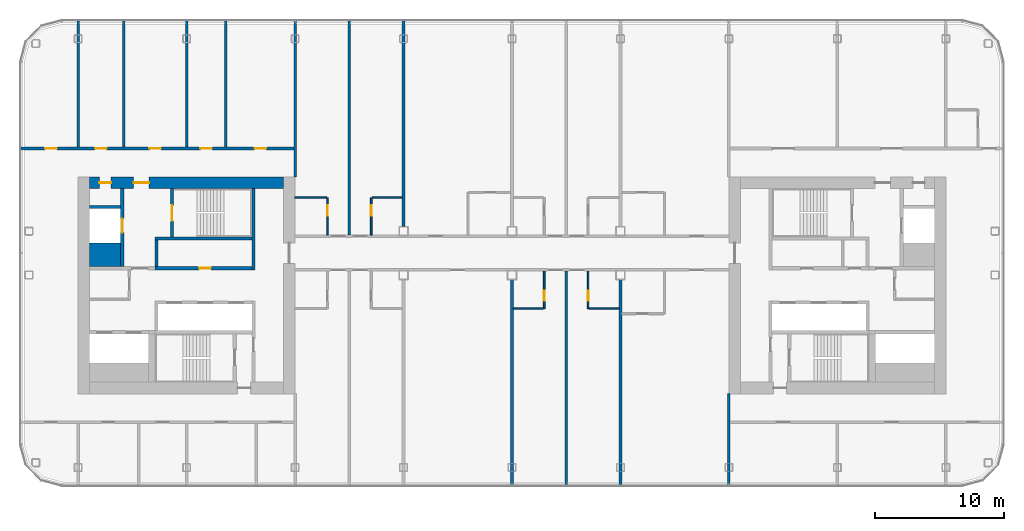
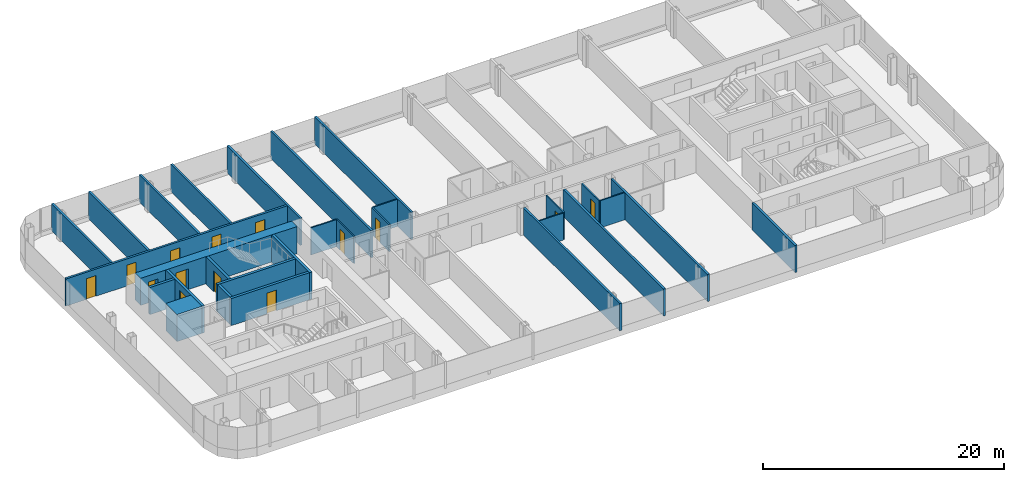
# One storey, part 14 of 26: 29 walls, 14 doors, 14 openings.
"""IFC4 building model written with IfcOpenShell, lengths in metres."""

from ifc_helpers import new_model, si_unit, direction, frame, frame_2d, origin, place, context, subcontext, project, spatial, rectangle, extrude, material, layer, layer_set, type_object, element, fill, save


model = new_model("IFC4")

# Units and contexts
model_context = context("Model", 3, precision=1e-05, world=origin(), true_north=direction((0.0, 1.0)))
body_context = subcontext(model_context, "Body", "Model", "MODEL_VIEW")
ifc_project = project(units=[si_unit("LENGTHUNIT", "METRE"), si_unit("AREAUNIT", "SQUARE_METRE"), si_unit("VOLUMEUNIT", "CUBIC_METRE"), si_unit("PLANEANGLEUNIT", "RADIAN"), si_unit("MASSUNIT", "GRAM", prefix="KILO")], contexts=[model_context])

# Site, building, storey
site_placement = place(None, origin())
site = spatial("IfcSite", under=ifc_project, at=site_placement, CompositionType="ELEMENT")
building_placement = place(site_placement, origin())
building = spatial("IfcBuilding", under=site, at=building_placement, Name="Hakoniwa Tower and Hamabe Station Hall", CompositionType="ELEMENT")
storey_placement = place(building_placement, frame((0.0, 0.0, 196.199951171875)))
storey = spatial("IfcBuildingStorey", under=building, at=storey_placement, Name="L55", CompositionType="ELEMENT", Elevation=196.199951171875)

# Walls
ifc_material_1 = material(Name="Gypsum board partition", Category="gypsum")
ifc_layer_1 = layer(ifc_material_1, 0.125)
ifc_layer_set_1 = layer_set([ifc_layer_1], Name="Bathroom Partition 125")
wall_type_1 = type_object("IfcWallType", Name="Bathroom Partition 125", PredefinedType="PARTITIONING", material=ifc_layer_set_1)
wall_1_placement = place(storey_placement, frame((0.10009765625, -1.800048828125, 0.0), z_axis=(0.0, 0.0, 1.0), x_axis=(1.0, 0.0, 0.0)))
element("IfcWall", 1, at=wall_1_placement, inside=storey, type_object=wall_type_1, Name="GW-L55-006", PredefinedType="PARTITIONING", context=body_context, shape_type="SweptSolid", body=[
    extrude(rectangle(XDim=2.33740234375, YDim=0.125, at=frame_2d((1.168701171875, 0.0))), origin(), (0.0, 0.0, 1.0), 2.75),
])
wall_2_placement = place(storey_placement, frame((5.96240234375, -1.800048828125, 0.0), z_axis=(0.0, 0.0, 1.0), x_axis=(1.0, 0.0, 0.0)))
element("IfcWall", 2, at=wall_2_placement, inside=storey, type_object=wall_type_1, Name="GW-L55-007", PredefinedType="PARTITIONING", context=body_context, shape_type="SweptSolid", body=[
    extrude(rectangle(XDim=2.337646484375, YDim=0.125, at=frame_2d((1.1689453125, 0.0))), origin(), (0.0, 0.0, 1.0), 2.75),
])
wall_3_placement = place(storey_placement, frame((-16.81005859375, 6.800048828125, 0.0), z_axis=(0.0, 0.0, 1.0), x_axis=(1.0, 0.0, 0.0)))
element("IfcWall", 3, at=wall_3_placement, inside=storey, type_object=wall_type_1, Name="GW-L55-010", PredefinedType="PARTITIONING", context=body_context, shape_type="SweptSolid", body=[
    extrude(rectangle(XDim=2.447509765625, YDim=0.125, at=frame_2d((1.2236328125, 0.0))), origin(), (0.0, 0.0, 1.0), 2.75),
])
wall_4_placement = place(storey_placement, frame((-10.83740234375, 6.800048828125, 0.0), z_axis=(0.0, 0.0, 1.0), x_axis=(1.0, 0.0, 0.0)))
element("IfcWall", 4, at=wall_4_placement, inside=storey, type_object=wall_type_1, Name="GW-L55-011", PredefinedType="PARTITIONING", context=body_context, shape_type="SweptSolid", body=[
    extrude(rectangle(XDim=2.33740234375, YDim=0.125, at=frame_2d((1.168701171875, 0.0))), origin(), (0.0, 0.0, 1.0), 2.75),
])

# Wall, opening, door
wall_5_placement = place(storey_placement, frame((-14.300048828125, 3.89990234375, 0.0), z_axis=(0.0, 0.0, 1.0), x_axis=(0.0, 1.0, 0.0)))
wall_5 = element("IfcWall", 5, at=wall_5_placement, inside=storey, type_object=wall_type_1, Name="GW-L55-030", PredefinedType="PARTITIONING", context=body_context, shape_type="SweptSolid", body=[
    extrude(rectangle(XDim=2.900146484375, YDim=0.125, at=frame_2d((1.4501953125, 0.0))), origin(), (0.0, 0.0, 1.0), 2.75),
])
opening_1_placement = place(wall_5_placement, frame((1.5, 0.0, 0.0)))
opening_1 = element("IfcOpeningElement", 6, at=opening_1_placement, cuts=wall_5, Name="Opening GD-G4D0-33", PredefinedType="OPENING", context=body_context, shape_type="SweptSolid", body=[
    extrude(rectangle(XDim=0.800048828125, YDim=2.10009765625, at=frame_2d((0.39990234375, 1.050048828125))), frame((0.0, 0.072509765625, 0.0), z_axis=(0.0, -1.0, 0.0), x_axis=(1.0, 0.0, 0.0)), (0.0, 0.0, 1.0), 0.14501953125),
])
ifc_material_2 = material(Name="Timber door leaf", Category="wood")
door_type_1 = type_object("IfcDoorType", Name="Bathroom Door 800", OperationType="SINGLE_SWING_LEFT", PredefinedType="DOOR", material=ifc_material_2)
door_1_placement = place(opening_1_placement, origin())
door_1 = element("IfcDoor", 7, at=door_1_placement, inside=storey, type_object=door_type_1, Name="Door GD-G4D0-33", OperationType="SINGLE_SWING_LEFT", OverallHeight=2.10009765625, OverallWidth=0.800048828125, PredefinedType="DOOR", context=body_context, shape_type="SweptSolid", body=[
    extrude(rectangle(XDim=0.800048828125, YDim=2.10009765625, at=frame_2d((0.39990234375, 1.050048828125))), frame((0.0, 0.02490234375, 0.0), z_axis=(0.0, -1.0, 0.0), x_axis=(1.0, 0.0, 0.0)), (0.0, 0.0, 1.0), 0.050048828125),
])
fill(opening_1, door_1)

wall_6_placement = place(storey_placement, frame((-10.89990234375, 3.89990234375, 0.0), z_axis=(0.0, 0.0, 1.0), x_axis=(0.0, 1.0, 0.0)))
wall_6 = element("IfcWall", 8, at=wall_6_placement, inside=storey, type_object=wall_type_1, Name="GW-L55-034", PredefinedType="PARTITIONING", context=body_context, shape_type="SweptSolid", body=[
    extrude(rectangle(XDim=2.900146484375, YDim=0.125, at=frame_2d((1.4501953125, 0.0))), origin(), (0.0, 0.0, 1.0), 2.75),
])
opening_2_placement = place(wall_6_placement, frame((1.5, 0.0, 0.0)))
opening_2 = element("IfcOpeningElement", 9, at=opening_2_placement, cuts=wall_6, Name="Opening GD-G4D0-35", PredefinedType="OPENING", context=body_context, shape_type="SweptSolid", body=[
    extrude(rectangle(XDim=0.800048828125, YDim=2.10009765625, at=frame_2d((0.39990234375, 1.050048828125))), frame((0.0, 0.072509765625, 0.0), z_axis=(0.0, -1.0, 0.0), x_axis=(1.0, 0.0, 0.0)), (0.0, 0.0, 1.0), 0.14501953125),
])
door_2_placement = place(opening_2_placement, origin())
door_2 = element("IfcDoor", 10, at=door_2_placement, inside=storey, type_object=door_type_1, Name="Door GD-G4D0-35", OperationType="SINGLE_SWING_RIGHT", OverallHeight=2.10009765625, OverallWidth=0.800048828125, PredefinedType="DOOR", context=body_context, shape_type="SweptSolid", body=[
    extrude(rectangle(XDim=0.800048828125, YDim=2.10009765625, at=frame_2d((0.39990234375, 1.050048828125))), frame((0.0, 0.02490234375, 0.0), z_axis=(0.0, -1.0, 0.0), x_axis=(1.0, 0.0, 0.0)), (0.0, 0.0, 1.0), 0.050048828125),
])
fill(opening_2, door_2)

wall_7_placement = place(storey_placement, frame((2.5, -1.800048828125, 0.0), z_axis=(0.0, 0.0, 1.0), x_axis=(0.0, 1.0, 0.0)))
wall_7 = element("IfcWall", 11, at=wall_7_placement, inside=storey, type_object=wall_type_1, Name="GW-L55-040", PredefinedType="PARTITIONING", context=body_context, shape_type="SweptSolid", body=[
    extrude(rectangle(XDim=2.900146484375, YDim=0.125, at=frame_2d((1.4501953125, 0.0))), origin(), (0.0, 0.0, 1.0), 2.75),
])
opening_3_placement = place(wall_7_placement, frame((0.60009765625, 0.0, 0.0)))
opening_3 = element("IfcOpeningElement", 12, at=opening_3_placement, cuts=wall_7, Name="Opening GD-G4D0-36", PredefinedType="OPENING", context=body_context, shape_type="SweptSolid", body=[
    extrude(rectangle(XDim=0.800048828125, YDim=2.10009765625, at=frame_2d((0.39990234375, 1.050048828125))), frame((0.0, 0.072509765625, 0.0), z_axis=(0.0, -1.0, 0.0), x_axis=(1.0, 0.0, 0.0)), (0.0, 0.0, 1.0), 0.14501953125),
])
door_3_placement = place(opening_3_placement, origin())
door_3 = element("IfcDoor", 13, at=door_3_placement, inside=storey, type_object=door_type_1, Name="Door GD-G4D0-36", OperationType="SINGLE_SWING_RIGHT", OverallHeight=2.10009765625, OverallWidth=0.800048828125, PredefinedType="DOOR", context=body_context, shape_type="SweptSolid", body=[
    extrude(rectangle(XDim=0.800048828125, YDim=2.10009765625, at=frame_2d((0.39990234375, 1.050048828125))), frame((0.0, 0.02490234375, 0.0), z_axis=(0.0, -1.0, 0.0), x_axis=(1.0, 0.0, 0.0)), (0.0, 0.0, 1.0), 0.050048828125),
])
fill(opening_3, door_3)

wall_8_placement = place(storey_placement, frame((5.89990234375, -1.800048828125, 0.0), z_axis=(0.0, 0.0, 1.0), x_axis=(0.0, 1.0, 0.0)))
wall_8 = element("IfcWall", 14, at=wall_8_placement, inside=storey, type_object=wall_type_1, Name="GW-L55-044", PredefinedType="PARTITIONING", context=body_context, shape_type="SweptSolid", body=[
    extrude(rectangle(XDim=2.900146484375, YDim=0.125, at=frame_2d((1.4501953125, 0.0))), origin(), (0.0, 0.0, 1.0), 2.75),
])
opening_4_placement = place(wall_8_placement, frame((0.60009765625, 0.0, 0.0)))
opening_4 = element("IfcOpeningElement", 15, at=opening_4_placement, cuts=wall_8, Name="Opening GD-G4D0-38", PredefinedType="OPENING", context=body_context, shape_type="SweptSolid", body=[
    extrude(rectangle(XDim=0.800048828125, YDim=2.10009765625, at=frame_2d((0.39990234375, 1.050048828125))), frame((0.0, 0.072509765625, 0.0), z_axis=(0.0, -1.0, 0.0), x_axis=(1.0, 0.0, 0.0)), (0.0, 0.0, 1.0), 0.14501953125),
])
door_4_placement = place(opening_4_placement, origin())
door_4 = element("IfcDoor", 16, at=door_4_placement, inside=storey, type_object=door_type_1, Name="Door GD-G4D0-38", OperationType="SINGLE_SWING_LEFT", OverallHeight=2.10009765625, OverallWidth=0.800048828125, PredefinedType="DOOR", context=body_context, shape_type="SweptSolid", body=[
    extrude(rectangle(XDim=0.800048828125, YDim=2.10009765625, at=frame_2d((0.39990234375, 1.050048828125))), frame((0.0, 0.02490234375, 0.0), z_axis=(0.0, -1.0, 0.0), x_axis=(1.0, 0.0, 0.0)), (0.0, 0.0, 1.0), 0.050048828125),
])
fill(opening_4, door_4)

# Wall, openings, doors
ifc_material_3 = material(Name="Concrete C60", Category="concrete")
ifc_layer_2 = layer(ifc_material_3, 0.89990234375)
ifc_layer_set_2 = layer_set([ifc_layer_2], Name="CORE WALL 900 C60")
wall_type_2 = type_object("IfcWallType", Name="CORE WALL 900 C60", PredefinedType="SHEAR", material=ifc_layer_set_2)
wall_9_placement = place(storey_placement, frame((-32.699951171875, 7.949951171875, 0.0), z_axis=(0.0, 0.0, 1.0), x_axis=(1.0, 0.0, 0.0)))
wall_9 = element("IfcWall", 17, at=wall_9_placement, inside=storey, type_object=wall_type_2, Name="Core wall NORTH west", PredefinedType="SHEAR", context=body_context, shape_type="SweptSolid", body=[
    extrude(rectangle(XDim=15.0, YDim=0.89990234375, at=frame_2d((7.5, 0.0))), origin(), (0.0, 0.0, 1.0), 2.75),
])
opening_5_placement = place(wall_9_placement, frame((3.39990234375, 0.0, 0.0)))
opening_5 = element("IfcOpeningElement", 18, at=opening_5_placement, cuts=wall_9, Name="Opening CD-W-FN1-12", PredefinedType="OPENING", context=body_context, shape_type="SweptSolid", body=[
    extrude(rectangle(XDim=1.199951171875, YDim=2.10009765625, at=frame_2d((0.60009765625, 1.050048828125))), frame((0.0, 0.4599609375, 0.0), z_axis=(0.0, -1.0, 0.0), x_axis=(1.0, 0.0, 0.0)), (0.0, 0.0, 1.0), 0.919921875),
])
opening_6_placement = place(wall_9_placement, frame((0.75, 0.0, 0.0)))
opening_6 = element("IfcOpeningElement", 19, at=opening_6_placement, cuts=wall_9, Name="Opening CD-W-FN2-9", PredefinedType="OPENING", context=body_context, shape_type="SweptSolid", body=[
    extrude(rectangle(XDim=0.89990234375, YDim=2.10009765625, at=frame_2d((0.449951171875, 1.050048828125))), frame((0.0, 0.4599609375, 0.0), z_axis=(0.0, -1.0, 0.0), x_axis=(1.0, 0.0, 0.0)), (0.0, 0.0, 1.0), 0.919921875),
])
ifc_material_4 = material(Name="Steel fire door", Category="steel")
door_type_2 = type_object("IfcDoorType", Name="CORE DOOR 1200 FD60", OperationType="DOUBLE_DOOR_SINGLE_SWING", PredefinedType="DOOR", material=ifc_material_4)
door_5_placement = place(opening_5_placement, origin())
door_5 = element("IfcDoor", 20, at=door_5_placement, inside=storey, type_object=door_type_2, Name="Stair vestibule door to the fire-fighting lobby", OperationType="DOUBLE_DOOR_SINGLE_SWING", OverallHeight=2.10009765625, OverallWidth=1.199951171875, PredefinedType="DOOR", context=body_context, shape_type="SweptSolid", body=[
    extrude(rectangle(XDim=1.199951171875, YDim=2.10009765625, at=frame_2d((0.60009765625, 1.050048828125))), frame((0.0, 0.02490234375, 0.0), z_axis=(0.0, -1.0, 0.0), x_axis=(1.0, 0.0, 0.0)), (0.0, 0.0, 1.0), 0.050048828125),
])
fill(opening_5, door_5)
ifc_material_5 = material(Name="Steel fire door", Category="steel")
door_type_3 = type_object("IfcDoorType", Name="CORE DOOR 900 FD30", OperationType="NOTDEFINED", PredefinedType="DOOR", material=ifc_material_5)
door_6_placement = place(opening_6_placement, origin())
door_6 = element("IfcDoor", 21, at=door_6_placement, inside=storey, type_object=door_type_3, Name="Riser access door", OperationType="SINGLE_SWING_RIGHT", OverallHeight=2.10009765625, OverallWidth=0.89990234375, PredefinedType="DOOR", context=body_context, shape_type="SweptSolid", body=[
    extrude(rectangle(XDim=0.89990234375, YDim=2.10009765625, at=frame_2d((0.449951171875, 1.050048828125))), frame((0.0, 0.02490234375, 0.0), z_axis=(0.0, -1.0, 0.0), x_axis=(1.0, 0.0, 0.0)), (0.0, 0.0, 1.0), 0.050048828125),
])
fill(opening_6, door_6)

# Walls
ifc_material_6 = material(Name="Concrete C60", Category="concrete")
ifc_layer_3 = layer(ifc_material_6, 1.85009765625)
ifc_layer_set_3 = layer_set([ifc_layer_3], Name="CORE WEB WALL 1850 C60")
wall_type_3 = type_object("IfcWallType", Name="CORE WEB WALL 1850 C60", PredefinedType="SHEAR", material=ifc_layer_set_3)
wall_10_placement = place(storey_placement, frame((-32.699951171875, 2.375, 0.0), z_axis=(0.0, 0.0, 1.0), x_axis=(1.0, 0.0, 0.0)))
element("IfcWall", 22, at=wall_10_placement, inside=storey, type_object=wall_type_3, Name="Core wall CA west", PredefinedType="SHEAR", context=body_context, shape_type="SweptSolid", body=[
    extrude(rectangle(XDim=2.39990234375, YDim=1.85009765625, at=frame_2d((1.199951171875, 0.0))), origin(), (0.0, 0.0, 1.0), 2.75),
])
ifc_material_7 = material(Name="Concrete C60", Category="concrete")
ifc_layer_4 = layer(ifc_material_7, 0.25)
ifc_layer_set_4 = layer_set([ifc_layer_4], Name="CORE WEB WALL 250 C60")
wall_type_4 = type_object("IfcWallType", Name="CORE WEB WALL 250 C60", PredefinedType="SHEAR", material=ifc_layer_set_4)
wall_11_placement = place(storey_placement, frame((-20.02490234375, 1.199951171875, 0.0), z_axis=(0.0, 0.0, 1.0), x_axis=(0.0, 1.0, 0.0)))
element("IfcWall", 23, at=wall_11_placement, inside=storey, type_object=wall_type_4, Name="Core wall W1N west", PredefinedType="SHEAR", context=body_context, shape_type="SweptSolid", body=[
    extrude(rectangle(XDim=6.300048828125, YDim=0.25, at=frame_2d((3.14990234375, 0.0))), origin(), (0.0, 0.0, 1.0), 2.75),
])

# Wall, opening, door
wall_12_placement = place(storey_placement, frame((-27.64990234375, 1.324951171875, 0.0), z_axis=(0.0, 0.0, 1.0), x_axis=(1.0, 0.0, 0.0)))
wall_12 = element("IfcWall", 24, at=wall_12_placement, inside=storey, type_object=wall_type_4, Name="Core wall NF west", PredefinedType="SHEAR", context=body_context, shape_type="SweptSolid", body=[
    extrude(rectangle(XDim=7.5, YDim=0.25, at=frame_2d((3.75, 0.0))), origin(), (0.0, 0.0, 1.0), 2.75),
])
opening_7_placement = place(wall_12_placement, frame((3.425048828125, 0.0, 0.0)))
opening_7 = element("IfcOpeningElement", 25, at=opening_7_placement, cuts=wall_12, Name="Opening CD-W-FRLR0-9", PredefinedType="OPENING", context=body_context, shape_type="SweptSolid", body=[
    extrude(rectangle(XDim=0.89990234375, YDim=2.10009765625, at=frame_2d((0.449951171875, 1.050048828125))), frame((0.0, 0.135009765625, 0.0), z_axis=(0.0, -1.0, 0.0), x_axis=(1.0, 0.0, 0.0)), (0.0, 0.0, 1.0), 0.27001953125),
])
door_7_placement = place(opening_7_placement, origin())
door_7 = element("IfcDoor", 26, at=door_7_placement, inside=storey, type_object=door_type_3, Name="Store room door", OperationType="SINGLE_SWING_LEFT", OverallHeight=2.10009765625, OverallWidth=0.89990234375, PredefinedType="DOOR", context=body_context, shape_type="SweptSolid", body=[
    extrude(rectangle(XDim=0.89990234375, YDim=2.10009765625, at=frame_2d((0.449951171875, 1.050048828125))), frame((0.0, 0.02490234375, 0.0), z_axis=(0.0, -1.0, 0.0), x_axis=(1.0, 0.0, 0.0)), (0.0, 0.0, 1.0), 0.050048828125),
])
fill(opening_7, door_7)

# Walls
wall_13_placement = place(storey_placement, frame((-27.52490234375, 1.449951171875, 0.0), z_axis=(0.0, 0.0, 1.0), x_axis=(0.0, 1.0, 0.0)))
element("IfcWall", 27, at=wall_13_placement, inside=storey, type_object=wall_type_4, Name="Core wall NE west", PredefinedType="SHEAR", context=body_context, shape_type="SweptSolid", body=[
    extrude(rectangle(XDim=2.050048828125, YDim=0.25, at=frame_2d((1.02490234375, 0.0))), origin(), (0.0, 0.0, 1.0), 2.75),
])
wall_14_placement = place(storey_placement, frame((-27.64990234375, 3.625, 0.0), z_axis=(0.0, 0.0, 1.0), x_axis=(1.0, 0.0, 0.0)))
element("IfcWall", 28, at=wall_14_placement, inside=storey, type_object=wall_type_4, Name="Core wall NR west", PredefinedType="SHEAR", context=body_context, shape_type="SweptSolid", body=[
    extrude(rectangle(XDim=7.5, YDim=0.25, at=frame_2d((3.75, 0.0))), origin(), (0.0, 0.0, 1.0), 2.75),
])

# Wall, opening, door
wall_15_placement = place(storey_placement, frame((-26.324951171875, 3.75, 0.0), z_axis=(0.0, 0.0, 1.0), x_axis=(0.0, 1.0, 0.0)))
wall_15 = element("IfcWall", 29, at=wall_15_placement, inside=storey, type_object=wall_type_4, Name="Core wall NSE west", PredefinedType="SHEAR", context=body_context, shape_type="SweptSolid", body=[
    extrude(rectangle(XDim=3.75, YDim=0.25, at=frame_2d((1.875, 0.0))), origin(), (0.0, 0.0, 1.0), 2.75),
])
opening_8_placement = place(wall_15_placement, frame((1.25, 0.0, 0.0)))
opening_8 = element("IfcOpeningElement", 30, at=opening_8_placement, cuts=wall_15, Name="Opening CD-W-SN-12", PredefinedType="OPENING", context=body_context, shape_type="SweptSolid", body=[
    extrude(rectangle(XDim=1.199951171875, YDim=2.10009765625, at=frame_2d((0.60009765625, 1.050048828125))), frame((0.0, 0.135009765625, 0.0), z_axis=(0.0, -1.0, 0.0), x_axis=(1.0, 0.0, 0.0)), (0.0, 0.0, 1.0), 0.27001953125),
])
door_8_placement = place(opening_8_placement, origin())
door_8 = element("IfcDoor", 31, at=door_8_placement, inside=storey, type_object=door_type_2, Name="Escape stair door", OperationType="DOUBLE_DOOR_SINGLE_SWING", OverallHeight=2.10009765625, OverallWidth=1.199951171875, PredefinedType="DOOR", context=body_context, shape_type="SweptSolid", body=[
    extrude(rectangle(XDim=1.199951171875, YDim=2.10009765625, at=frame_2d((0.60009765625, 1.050048828125))), frame((0.0, 0.02490234375, 0.0), z_axis=(0.0, -1.0, 0.0), x_axis=(1.0, 0.0, 0.0)), (0.0, 0.0, 1.0), 0.050048828125),
])
fill(opening_8, door_8)

wall_16_placement = place(storey_placement, frame((-30.175048828125, 1.449951171875, 0.0), z_axis=(0.0, 0.0, 1.0), x_axis=(0.0, 1.0, 0.0)))
wall_16 = element("IfcWall", 32, at=wall_16_placement, inside=storey, type_object=wall_type_4, Name="Core wall FFF west", PredefinedType="SHEAR", context=body_context, shape_type="SweptSolid", body=[
    extrude(rectangle(XDim=6.050048828125, YDim=0.25, at=frame_2d((3.02490234375, 0.0))), origin(), (0.0, 0.0, 1.0), 2.75),
])
opening_9_placement = place(wall_16_placement, frame((2.625, 0.0, 0.0)))
opening_9 = element("IfcOpeningElement", 33, at=opening_9_placement, cuts=wall_16, Name="Opening LD-FF1", PredefinedType="OPENING", context=body_context, shape_type="SweptSolid", body=[
    extrude(rectangle(XDim=1.10009765625, YDim=2.10009765625, at=frame_2d((0.550048828125, 1.050048828125))), frame((0.0, 0.135009765625, 0.0), z_axis=(0.0, -1.0, 0.0), x_axis=(1.0, 0.0, 0.0)), (0.0, 0.0, 1.0), 0.27001953125),
])
ifc_material_8 = material(Name="Stainless steel SUS304", Category="steel")
door_type_4 = type_object("IfcDoorType", Name="LIFT LANDING DOOR 1100 FD60", OperationType="DOUBLE_DOOR_SLIDING", PredefinedType="DOOR", material=ifc_material_8)
door_9_placement = place(opening_9_placement, origin())
door_9 = element("IfcDoor", 34, at=door_9_placement, inside=storey, type_object=door_type_4, Name="Lift landing door FF1 L55", OperationType="DOUBLE_DOOR_SLIDING", OverallHeight=2.10009765625, OverallWidth=1.10009765625, PredefinedType="DOOR", context=body_context, shape_type="SweptSolid", body=[
    extrude(rectangle(XDim=1.10009765625, YDim=2.10009765625, at=frame_2d((0.550048828125, 1.050048828125))), frame((0.0, 0.02490234375, 0.0), z_axis=(0.0, -1.0, 0.0), x_axis=(1.0, 0.0, 0.0)), (0.0, 0.0, 1.0), 0.050048828125),
])
fill(opening_9, door_9)

# Wall
wall_17_placement = place(storey_placement, frame((-32.699951171875, 6.074951171875, 0.0), z_axis=(0.0, 0.0, 1.0), x_axis=(1.0, 0.0, 0.0)))
element("IfcWall", 35, at=wall_17_placement, inside=storey, type_object=wall_type_4, Name="Core wall C2 west", PredefinedType="SHEAR", context=body_context, shape_type="SweptSolid", body=[
    extrude(rectangle(XDim=2.39990234375, YDim=0.25, at=frame_2d((1.199951171875, 0.0))), origin(), (0.0, 0.0, 1.0), 2.75),
])

# Wall, openings, doors
ifc_material_9 = material(Name="Fire-rated gypsum board partition", Category="gypsum")
ifc_layer_5 = layer(ifc_material_9, 0.199951171875)
ifc_layer_set_5 = layer_set([ifc_layer_5], Name="Corridor Wall 200")
wall_type_5 = type_object("IfcWallType", Name="Corridor Wall 200", PredefinedType="PARTITIONING", material=ifc_layer_set_5)
wall_18_placement = place(storey_placement, frame((-38.10009765625, 10.60009765625, 0.0), z_axis=(0.0, 0.0, 1.0), x_axis=(1.0, 0.0, 0.0)))
wall_18 = element("IfcWall", 36, at=wall_18_placement, inside=storey, type_object=wall_type_5, Name="GW-L55-016", PredefinedType="PARTITIONING", context=body_context, shape_type="SweptSolid", body=[
    extrude(rectangle(XDim=21.300048828125, YDim=0.199951171875, at=frame_2d((10.64990234375, 0.0))), origin(), (0.0, 0.0, 1.0), 2.75),
])
opening_10_placement = place(wall_18_placement, frame((1.949951171875, 0.0, 0.0)))
opening_10 = element("IfcOpeningElement", 37, at=opening_10_placement, cuts=wall_18, Name="Opening GD-G4D0-24", PredefinedType="OPENING", context=body_context, shape_type="SweptSolid", body=[
    extrude(rectangle(XDim=0.89990234375, YDim=2.10009765625, at=frame_2d((0.449951171875, 1.050048828125))), frame((0.0, 0.10986328125, 0.0), z_axis=(0.0, -1.0, 0.0), x_axis=(1.0, 0.0, 0.0)), (0.0, 0.0, 1.0), 0.219970703125),
])
opening_11_placement = place(wall_18_placement, frame((5.81494140625, 0.0, 0.0)))
opening_11 = element("IfcOpeningElement", 38, at=opening_11_placement, cuts=wall_18, Name="Opening GD-G4D0-25", PredefinedType="OPENING", context=body_context, shape_type="SweptSolid", body=[
    extrude(rectangle(XDim=0.89990234375, YDim=2.10009765625, at=frame_2d((0.449951171875, 1.050048828125))), frame((0.0, 0.10986328125, 0.0), z_axis=(0.0, -1.0, 0.0), x_axis=(1.0, 0.0, 0.0)), (0.0, 0.0, 1.0), 0.219970703125),
])
opening_12_placement = place(wall_18_placement, frame((10.014892578125, 0.0, 0.0)))
opening_12 = element("IfcOpeningElement", 39, at=opening_12_placement, cuts=wall_18, Name="Opening GD-G4D0-26", PredefinedType="OPENING", context=body_context, shape_type="SweptSolid", body=[
    extrude(rectangle(XDim=0.89990234375, YDim=2.10009765625, at=frame_2d((0.449951171875, 1.050048828125))), frame((0.0, 0.10986328125, 0.0), z_axis=(0.0, -1.0, 0.0), x_axis=(1.0, 0.0, 0.0)), (0.0, 0.0, 1.0), 0.219970703125),
])
opening_13_placement = place(wall_18_placement, frame((13.9599609375, 0.0, 0.0)))
opening_13 = element("IfcOpeningElement", 40, at=opening_13_placement, cuts=wall_18, Name="Opening GD-G4D0-27", PredefinedType="OPENING", context=body_context, shape_type="SweptSolid", body=[
    extrude(rectangle(XDim=0.89990234375, YDim=2.10009765625, at=frame_2d((0.449951171875, 1.050048828125))), frame((0.0, 0.10986328125, 0.0), z_axis=(0.0, -1.0, 0.0), x_axis=(1.0, 0.0, 0.0)), (0.0, 0.0, 1.0), 0.219970703125),
])
opening_14_placement = place(wall_18_placement, frame((18.159912109375, 0.0, 0.0)))
opening_14 = element("IfcOpeningElement", 41, at=opening_14_placement, cuts=wall_18, Name="Opening GD-G4D0-28", PredefinedType="OPENING", context=body_context, shape_type="SweptSolid", body=[
    extrude(rectangle(XDim=0.89990234375, YDim=2.10009765625, at=frame_2d((0.449951171875, 1.050048828125))), frame((0.0, 0.10986328125, 0.0), z_axis=(0.0, -1.0, 0.0), x_axis=(1.0, 0.0, 0.0)), (0.0, 0.0, 1.0), 0.219970703125),
])
ifc_material_10 = material(Name="Timber door leaf", Category="wood")
door_type_5 = type_object("IfcDoorType", Name="Service Door 900", OperationType="SINGLE_SWING_LEFT", PredefinedType="DOOR", material=ifc_material_10)
door_10_placement = place(opening_10_placement, origin())
door_10 = element("IfcDoor", 42, at=door_10_placement, inside=storey, type_object=door_type_5, Name="Door GD-G4D0-24", OperationType="SINGLE_SWING_LEFT", OverallHeight=2.10009765625, OverallWidth=0.89990234375, PredefinedType="DOOR", context=body_context, shape_type="SweptSolid", body=[
    extrude(rectangle(XDim=0.89990234375, YDim=2.10009765625, at=frame_2d((0.449951171875, 1.050048828125))), frame((0.0, 0.02490234375, 0.0), z_axis=(0.0, -1.0, 0.0), x_axis=(1.0, 0.0, 0.0)), (0.0, 0.0, 1.0), 0.050048828125),
])
fill(opening_10, door_10)
door_11_placement = place(opening_11_placement, origin())
door_11 = element("IfcDoor", 43, at=door_11_placement, inside=storey, type_object=door_type_5, Name="Door GD-G4D0-25", OperationType="SINGLE_SWING_LEFT", OverallHeight=2.10009765625, OverallWidth=0.89990234375, PredefinedType="DOOR", context=body_context, shape_type="SweptSolid", body=[
    extrude(rectangle(XDim=0.89990234375, YDim=2.10009765625, at=frame_2d((0.449951171875, 1.050048828125))), frame((0.0, 0.02490234375, 0.0), z_axis=(0.0, -1.0, 0.0), x_axis=(1.0, 0.0, 0.0)), (0.0, 0.0, 1.0), 0.050048828125),
])
fill(opening_11, door_11)
door_12_placement = place(opening_12_placement, origin())
door_12 = element("IfcDoor", 44, at=door_12_placement, inside=storey, type_object=door_type_5, Name="Door GD-G4D0-26", OperationType="SINGLE_SWING_RIGHT", OverallHeight=2.10009765625, OverallWidth=0.89990234375, PredefinedType="DOOR", context=body_context, shape_type="SweptSolid", body=[
    extrude(rectangle(XDim=0.89990234375, YDim=2.10009765625, at=frame_2d((0.449951171875, 1.050048828125))), frame((0.0, 0.02490234375, 0.0), z_axis=(0.0, -1.0, 0.0), x_axis=(1.0, 0.0, 0.0)), (0.0, 0.0, 1.0), 0.050048828125),
])
fill(opening_12, door_12)
door_13_placement = place(opening_13_placement, origin())
door_13 = element("IfcDoor", 45, at=door_13_placement, inside=storey, type_object=door_type_5, Name="Door GD-G4D0-27", OperationType="SINGLE_SWING_LEFT", OverallHeight=2.10009765625, OverallWidth=0.89990234375, PredefinedType="DOOR", context=body_context, shape_type="SweptSolid", body=[
    extrude(rectangle(XDim=0.89990234375, YDim=2.10009765625, at=frame_2d((0.449951171875, 1.050048828125))), frame((0.0, 0.02490234375, 0.0), z_axis=(0.0, -1.0, 0.0), x_axis=(1.0, 0.0, 0.0)), (0.0, 0.0, 1.0), 0.050048828125),
])
fill(opening_13, door_13)
door_14_placement = place(opening_14_placement, origin())
door_14 = element("IfcDoor", 46, at=door_14_placement, inside=storey, type_object=door_type_5, Name="Door GD-G4D0-28", OperationType="SINGLE_SWING_RIGHT", OverallHeight=2.10009765625, OverallWidth=0.89990234375, PredefinedType="DOOR", context=body_context, shape_type="SweptSolid", body=[
    extrude(rectangle(XDim=0.89990234375, YDim=2.10009765625, at=frame_2d((0.449951171875, 1.050048828125))), frame((0.0, 0.02490234375, 0.0), z_axis=(0.0, -1.0, 0.0), x_axis=(1.0, 0.0, 0.0)), (0.0, 0.0, 1.0), 0.050048828125),
])
fill(opening_14, door_14)

# Walls
ifc_material_11 = material(Name="Fire-rated gypsum board partition", Category="gypsum")
ifc_layer_6 = layer(ifc_material_11, 0.199951171875)
ifc_layer_set_6 = layer_set([ifc_layer_6], Name="Party Wall 200")
wall_type_6 = type_object("IfcWallType", Name="Party Wall 200", PredefinedType="PARTITIONING", material=ifc_layer_set_6)
for number, where, z_axis, x_axis, name in (
    (47, (-33.60009765625, 10.699951171875, 0.0), (0.0, 0.0, 1.0), (0.0, 1.0, 0.0), "GW-L55-020"),
    (48, (-30.070068359375, 10.699951171875, 0.0), (0.0, 0.0, 1.0), (0.0, 1.0, 0.0), "GW-L55-021"),
    (49, (-25.199951171875, 10.699951171875, 0.0), (0.0, 0.0, 1.0), (0.0, 1.0, 0.0), "GW-L55-024"),
    (50, (-22.179931640625, 10.699951171875, 0.0), (0.0, 0.0, 1.0), (0.0, 1.0, 0.0), "GW-L55-025"),
):
    element("IfcWall", number, at=place(storey_placement, frame(where, z_axis=z_axis, x_axis=x_axis)), inside=storey, type_object=wall_type_6, Name=name, PredefinedType="PARTITIONING", context=body_context, shape_type="SweptSolid", body=[
        extrude(rectangle(XDim=9.85009765625, YDim=0.199951171875, at=frame_2d((4.925048828125, 0.0))), origin(), (0.0, 0.0, 1.0), 2.75),
    ])
wall_19_placement = place(storey_placement, frame((-16.800048828125, 8.389892578125, 0.0), z_axis=(0.0, 0.0, 1.0), x_axis=(0.0, 1.0, 0.0)))
element("IfcWall", 51, at=wall_19_placement, inside=storey, type_object=wall_type_6, Name="GW-L55-028", PredefinedType="PARTITIONING", context=body_context, shape_type="SweptSolid", body=[
    extrude(rectangle(XDim=12.16015625, YDim=0.199951171875, at=frame_2d((6.080078125, 0.0))), origin(), (0.0, 0.0, 1.0), 2.75),
])
wall_20_placement = place(storey_placement, frame((-12.60009765625, 3.89990234375, 0.0), z_axis=(0.0, 0.0, 1.0), x_axis=(0.0, 1.0, 0.0)))
element("IfcWall", 52, at=wall_20_placement, inside=storey, type_object=wall_type_6, Name="GW-L55-032", PredefinedType="PARTITIONING", context=body_context, shape_type="SweptSolid", body=[
    extrude(rectangle(XDim=16.650146484375, YDim=0.199951171875, at=frame_2d((8.3251953125, 0.0))), origin(), (0.0, 0.0, 1.0), 2.75),
])
for number, where, z_axis, x_axis, name in (
    (53, (-8.39990234375, 4.5400390625, 0.0), (0.0, 0.0, 1.0), (0.0, 1.0, 0.0), "GW-L55-036"),
    (54, (0.0, -15.550048828125, 0.0), (0.0, 0.0, 1.0), (0.0, 1.0, 0.0), "GW-L55-038"),
):
    element("IfcWall", number, at=place(storey_placement, frame(where, z_axis=z_axis, x_axis=x_axis)), inside=storey, type_object=wall_type_6, Name=name, PredefinedType="PARTITIONING", context=body_context, shape_type="SweptSolid", body=[
        extrude(rectangle(XDim=16.010009765625, YDim=0.199951171875, at=frame_2d((8.0048828125, 0.0))), origin(), (0.0, 0.0, 1.0), 2.75),
    ])
wall_21_placement = place(storey_placement, frame((4.199951171875, -15.550048828125, 0.0), z_axis=(0.0, 0.0, 1.0), x_axis=(0.0, 1.0, 0.0)))
element("IfcWall", 55, at=wall_21_placement, inside=storey, type_object=wall_type_6, Name="GW-L55-042", PredefinedType="PARTITIONING", context=body_context, shape_type="SweptSolid", body=[
    extrude(rectangle(XDim=16.650146484375, YDim=0.199951171875, at=frame_2d((8.3251953125, 0.0))), origin(), (0.0, 0.0, 1.0), 2.75),
])
wall_22_placement = place(storey_placement, frame((8.39990234375, -15.550048828125, 0.0), z_axis=(0.0, 0.0, 1.0), x_axis=(0.0, 1.0, 0.0)))
element("IfcWall", 56, at=wall_22_placement, inside=storey, type_object=wall_type_6, Name="GW-L55-046", PredefinedType="PARTITIONING", context=body_context, shape_type="SweptSolid", body=[
    extrude(rectangle(XDim=16.010009765625, YDim=0.199951171875, at=frame_2d((8.0048828125, 0.0))), origin(), (0.0, 0.0, 1.0), 2.75),
])
wall_23_placement = place(storey_placement, frame((16.800048828125, -15.550048828125, 0.0), z_axis=(0.0, 0.0, 1.0), x_axis=(0.0, 1.0, 0.0)))
element("IfcWall", 57, at=wall_23_placement, inside=storey, type_object=wall_type_6, Name="GW-L55-050", PredefinedType="PARTITIONING", context=body_context, shape_type="SweptSolid", body=[
    extrude(rectangle(XDim=7.16015625, YDim=0.199951171875, at=frame_2d((3.580078125, 0.0))), origin(), (0.0, 0.0, 1.0), 2.75),
])

save(model, "model.ifc")
